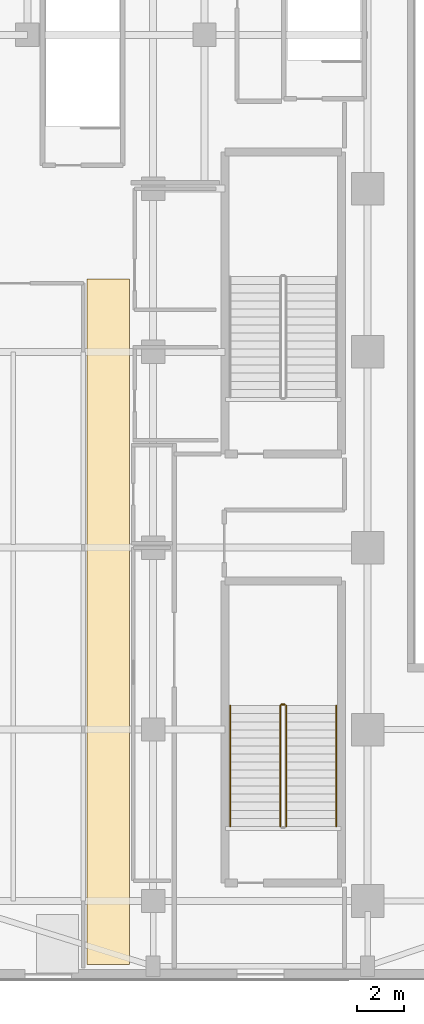
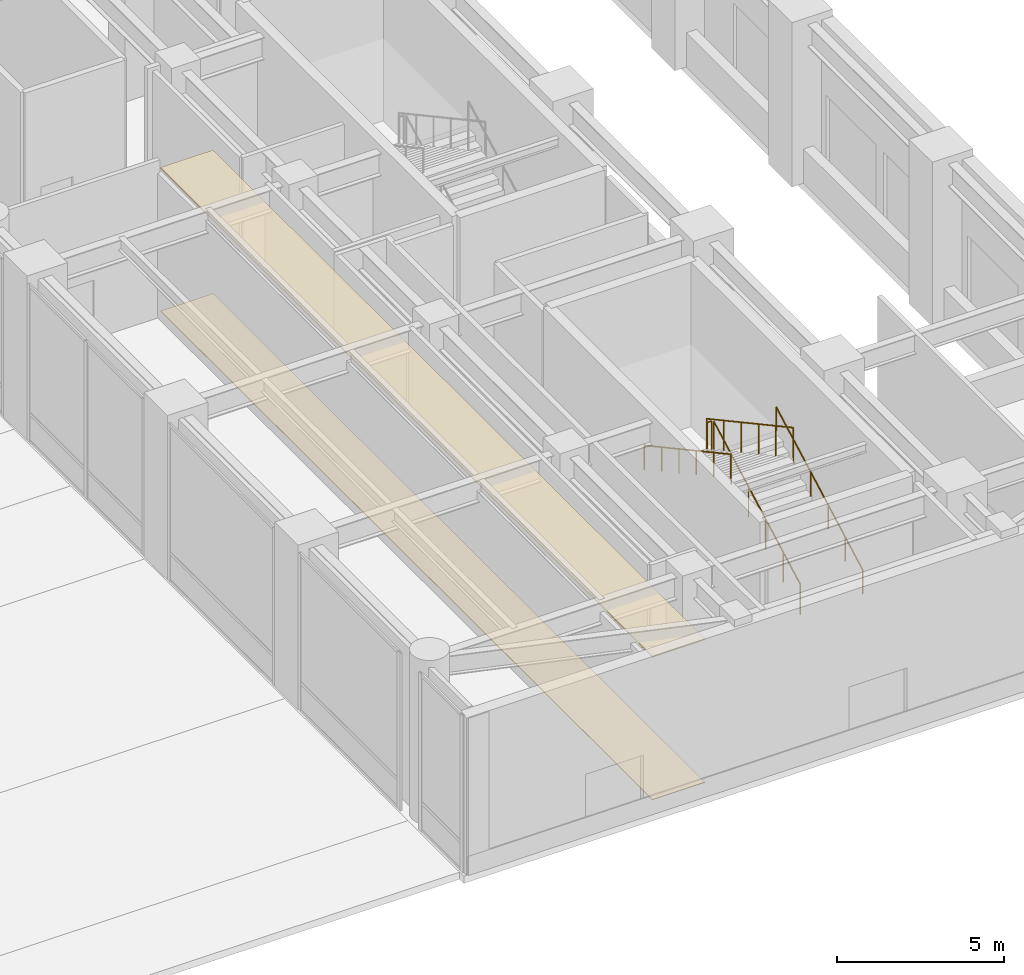
# One storey, part 21 of 28: 5 railings, 2 coverings.
"""IFC4 building model written with IfcOpenShell, lengths in metres."""

import ifcopenshell
import ifcopenshell.guid

model = None  # the IFC model being written
_history = None  # IfcOwnerHistory: only IFC2X3 demands one
_inside = {}  # id of a spatial element -> (the spatial element, [elements in it])
_under = {}  # id of a project, library or spatial element -> (it, [spatial elements below it])
_declared = {}  # id of a project -> (the project, [libraries it declares])
_typed = {}  # id of a type object -> (the type object, [elements of that type])
_made_of = {}  # id of a material, layer set ... -> (it, [elements and type objects made of it])


def new_model(schema):
    """Start an empty IFC model of exactly this schema.

    Asked for "IFC4X3", IfcOpenShell would pick the latest addendum, in which some entities
    have other attributes; the version numbers below select the first issue.
    IFC2X3 requires an IfcOwnerHistory on every rooted entity: one is made here for all.
    """
    global model, _history
    if schema == "IFC4X3":
        model = ifcopenshell.file(schema_version=(4, 3, 0, 0))
    else:
        model = ifcopenshell.file(schema=schema)
    _inside.clear()
    _under.clear()
    _declared.clear()
    _typed.clear()
    _made_of.clear()
    _history = None
    if model.schema == "IFC2X3":
        org = make("IfcOrganization", Name="unknown")
        user = make(
            "IfcPersonAndOrganization",
            ThePerson=make("IfcPerson", FamilyName="unknown"),
            TheOrganization=org,
        )
        app = make(
            "IfcApplication",
            ApplicationDeveloper=org,
            Version="unknown",
            ApplicationFullName="unknown",
            ApplicationIdentifier="unknown",
        )
        _history = make(
            "IfcOwnerHistory",
            OwningUser=user,
            OwningApplication=app,
            ChangeAction="ADDED",
            CreationDate=0,
        )
    return model


def make(cls, **values):
    """One entity of the class cls with the attributes given. An attribute that is None is left unset."""
    return model.create_entity(
        cls, **{name: value for name, value in values.items() if value is not None}
    )


def rooted(cls, **values):
    """An entity with a GlobalId (a new one), such as an element, a storey or a relation."""
    return make(cls, GlobalId=ifcopenshell.guid.new(), OwnerHistory=_history, **values)


def si_unit(unit_type, name, prefix=None):
    """IfcSIUnit, for example si_unit("LENGTHUNIT", "METRE", prefix="MILLI")."""
    return make("IfcSIUnit", UnitType=unit_type, Prefix=prefix, Name=name)


def assignment(units):
    """IfcUnitAssignment: the units of a project."""
    return None if units is None else make("IfcUnitAssignment", Units=units)


def point(xyz):
    """IfcCartesianPoint."""
    return None if xyz is None else make("IfcCartesianPoint", Coordinates=xyz)


def direction(xyz):
    """IfcDirection."""
    return None if xyz is None else make("IfcDirection", DirectionRatios=xyz)


def frame(location, z_axis=None, x_axis=None):
    """IfcAxis2Placement3D, a coordinate frame: its origin and axes. An axis left out is left unset."""
    return make(
        "IfcAxis2Placement3D",
        Location=point(location),
        Axis=direction(z_axis),
        RefDirection=direction(x_axis),
    )


def frame_2d(location, x_axis=None):
    """IfcAxis2Placement2D, a coordinate frame in the plane: its origin and x axis."""
    return make(
        "IfcAxis2Placement2D", Location=point(location), RefDirection=direction(x_axis)
    )


def origin():
    """The frame at (0, 0, 0) with its axes left unset."""
    return frame((0.0, 0.0, 0.0))


def origin_2d():
    """The frame at (0, 0) in the plane with its x axis left unset."""
    return frame_2d((0.0, 0.0))


def place(relative_to, where):
    """IfcLocalPlacement: puts the frame where relative to a parent placement (None: the world)."""
    return make(
        "IfcLocalPlacement", PlacementRelTo=relative_to, RelativePlacement=where
    )


def context(
    kind, dimensions, precision=None, world=None, true_north=None, identifier=None
):
    """IfcGeometricRepresentationContext, for example the 3D "Model" context."""
    return make(
        "IfcGeometricRepresentationContext",
        ContextIdentifier=identifier,
        ContextType=kind,
        CoordinateSpaceDimension=dimensions,
        Precision=precision,
        WorldCoordinateSystem=world,
        TrueNorth=true_north,
    )


def subcontext(parent, identifier, kind, view, scale=None):
    """IfcGeometricRepresentationSubContext, for example "Body" below "Model"."""
    return make(
        "IfcGeometricRepresentationSubContext",
        ContextIdentifier=identifier,
        ContextType=kind,
        ParentContext=parent,
        TargetScale=scale,
        TargetView=view,
    )


def project(units=None, contexts=None):
    """IfcProject with its units and contexts."""
    return rooted(
        "IfcProject",
        Name="project",
        RepresentationContexts=contexts,
        UnitsInContext=assignment(units),
    )


def spatial(cls, under=None, at=None, **own):
    """A site, building, storey or space (cls), placed at a placement, below another one or the project."""
    s = rooted(cls, ObjectPlacement=at, **own)
    if under is not None:
        _under.setdefault(under.id(), (under, []))[1].append(s)
    return s


def polyline(points):
    """IfcPolyline through the points."""
    return make("IfcPolyline", Points=[point(p) for p in points])


def profile(cls, at=None, kind="AREA", **sizes):
    """A parametric profile (cls). Its sizes go by their IFC names, for example OverallWidth=200.0."""
    return make(cls, ProfileType=kind, Position=at, **sizes)


def circle(**sizes):
    """IfcCircleProfileDef."""
    return profile("IfcCircleProfileDef", **sizes)


def outline(outer, holes=None, kind="AREA"):
    """IfcArbitraryClosedProfileDef: a profile drawn as a closed curve; with holes, ...WithVoids."""
    if holes is None:
        return make("IfcArbitraryClosedProfileDef", ProfileType=kind, OuterCurve=outer)
    return make(
        "IfcArbitraryProfileDefWithVoids",
        ProfileType=kind,
        OuterCurve=outer,
        InnerCurves=holes,
    )


def extrude(swept, where, along, depth):
    """IfcExtrudedAreaSolid: the profile swept, set in the frame where, extruded along a direction by depth."""
    return make(
        "IfcExtrudedAreaSolid",
        SweptArea=swept,
        Position=where,
        ExtrudedDirection=direction(along),
        Depth=depth,
    )


def shape(context_of_items, identifier, shape_type, items):
    """IfcShapeRepresentation: the items that make up one representation, for example the "Body"."""
    return make(
        "IfcShapeRepresentation",
        ContextOfItems=context_of_items,
        RepresentationIdentifier=identifier,
        RepresentationType=shape_type,
        Items=items,
    )


def material(Name=None, Category=None):
    """IfcMaterial."""
    return make("IfcMaterial", Name=Name, Category=Category)


def layer(
    of_material, thickness, ventilated=None, Name=None, Category=None, Priority=None
):
    """IfcMaterialLayer: one layer of a wall or slab, of a material (None: an air gap)."""
    return make(
        "IfcMaterialLayer",
        Material=of_material,
        LayerThickness=thickness,
        IsVentilated=ventilated,
        Name=Name,
        Category=Category,
        Priority=Priority,
    )


def layer_set(layers, Name=None):
    """IfcMaterialLayerSet."""
    return make("IfcMaterialLayerSet", MaterialLayers=layers, LayerSetName=Name)


def made_of(thing, what):
    """Note that an element or type object is made of a material, layer set ...; save() writes the relation."""
    if what is not None:
        _made_of.setdefault(what.id(), (what, []))[1].append(thing)
    return thing


def type_object(cls, material=None, **own):
    """A type object (cls), such as IfcWallType, which elements share."""
    return made_of(rooted(cls, **own), material)


def element(
    cls,
    number,
    at=None,
    inside=None,
    cuts=None,
    type_object=None,
    material=None,
    context=None,
    identifier="Body",
    shape_type=None,
    held_by="IfcProductDefinitionShape",
    body=None,
    shapes=None,
    **own,
):
    """One element of the class cls, such as IfcWall. Its Tag is "e" and its number.

    at: its placement. inside: the storey or other place that contains it. cuts: it is an
    opening in that element (IfcRelVoidsElement). A single representation is given by context,
    identifier, shape_type and body (its items); several are given by shapes. held_by: the class
    of the entity that holds the representations. save() writes the other relations.
    """
    e = rooted(cls, Tag="e%d" % number, ObjectPlacement=at, **own)
    if body is not None:
        shapes = [shape(context, identifier, shape_type, body)]
    if shapes is not None:
        e.Representation = make(held_by, Representations=shapes)
    if inside is not None:
        _inside.setdefault(inside.id(), (inside, []))[1].append(e)
    if cuts is not None:
        rooted(
            "IfcRelVoidsElement", RelatingBuildingElement=cuts, RelatedOpeningElement=e
        )
    if type_object is not None:
        _typed.setdefault(type_object.id(), (type_object, []))[1].append(e)
    return made_of(e, material)


def aggregate(whole, parts):
    """IfcRelAggregates: a whole, such as a stair, and the parts it consists of."""
    return rooted("IfcRelAggregates", RelatingObject=whole, RelatedObjects=parts)


def save(model, path):
    """Write the relations noted so far, then the file.

    IfcRelAggregates (storeys below a building ...), IfcRelContainedInSpatialStructure (elements
    in a storey), IfcRelDefinesByType, IfcRelAssociatesMaterial and IfcRelDeclares: one each for
    every whole, place, type object, material and project.
    """
    for whole, parts in _under.values():
        aggregate(whole, parts)
    for where, things in _inside.values():
        rooted(
            "IfcRelContainedInSpatialStructure",
            RelatedElements=things,
            RelatingStructure=where,
        )
    for kind, things in _typed.values():
        rooted("IfcRelDefinesByType", RelatedObjects=things, RelatingType=kind)
    for what, things in _made_of.values():
        rooted("IfcRelAssociatesMaterial", RelatedObjects=things, RelatingMaterial=what)
    for by, libraries in _declared.values():
        rooted("IfcRelDeclares", RelatingContext=by, RelatedDefinitions=libraries)
    model.write(path)


model = new_model("IFC4")

# Units and contexts
model_context = context("Model", 3, precision=1e-05, world=origin(), true_north=direction((0.0, 1.0)))
body_context = subcontext(model_context, "Body", "Model", "MODEL_VIEW")
ifc_project = project(units=[si_unit("LENGTHUNIT", "METRE"), si_unit("AREAUNIT", "SQUARE_METRE"), si_unit("VOLUMEUNIT", "CUBIC_METRE"), si_unit("PLANEANGLEUNIT", "RADIAN"), si_unit("MASSUNIT", "GRAM", prefix="KILO")], contexts=[model_context])

# Site, building, storey
site_placement = place(None, origin())
site = spatial("IfcSite", under=ifc_project, at=site_placement, CompositionType="ELEMENT")
building_placement = place(site_placement, origin())
building = spatial("IfcBuilding", under=site, at=building_placement, Name="Tolvann Quenvar Hotel", CompositionType="ELEMENT")
storey_placement = place(building_placement, origin())
storey = spatial("IfcBuildingStorey", under=building, at=storey_placement, Name="L00", CompositionType="ELEMENT", Elevation=0.0)

# Coverings
ifc_material_1 = material(Name="Micro-perforated acoustic mineral-fibre and timber-batten suspended ceiling", Category="wood")
ifc_layer_1 = layer(ifc_material_1, 0.054931640625)
ifc_layer_set_1 = layer_set([ifc_layer_1], Name="Micro-perforated acoustic mineral-fibre and timber-batten suspended ceiling")
covering_type_1 = type_object("IfcCoveringType", Name="COV_CEIL_TIMBER_55", PredefinedType="CEILING", material=ifc_layer_set_1)
covering_1_placement = place(storey_placement, frame((0.0, 0.0, 5.199951171875)))
element("IfcCovering", 1, at=covering_1_placement, inside=storey, type_object=covering_type_1, Name="Suspended Acoustic Ceiling (East Ground Corridor)", PredefinedType="CEILING", context=body_context, shape_type="SweptSolid", body=[
    extrude(outline(polyline([(44.3701171875, -1.8798828125), (46.179931640625, -1.8798828125), (46.179931640625, 27.530029296875), (44.3701171875, 27.530029296875), (44.3701171875, -1.8798828125)])), origin(), (0.0, 0.0, 1.0), 0.054931640625),
])
ifc_material_2 = material(Name="Honed Australian bluestone, terrazzo and engineered oak flooring", Category="masonry")
ifc_layer_2 = layer(ifc_material_2, 0.02001953125)
ifc_layer_set_2 = layer_set([ifc_layer_2], Name="Honed Australian bluestone, terrazzo and engineered oak flooring")
covering_type_2 = type_object("IfcCoveringType", Name="COV_FLOOR_STONE_20", PredefinedType="FLOORING", material=ifc_layer_set_2)
covering_2_placement = place(storey_placement, origin())
element("IfcCovering", 2, at=covering_2_placement, inside=storey, type_object=covering_type_2, Name="Architectural Floor Finish (East Ground Corridor)", PredefinedType="FLOORING", context=body_context, shape_type="SweptSolid", body=[
    extrude(outline(polyline([(44.3701171875, -1.8798828125), (46.179931640625, -1.8798828125), (46.179931640625, 27.530029296875), (44.3701171875, 27.530029296875), (44.3701171875, -1.8798828125)])), origin(), (0.0, 0.0, 1.0), 0.02001953125),
])

# Railings
ifc_material_3 = material(Name="Brushed 316 stainless steel balustrade and handrail", Category="steel")
railing_type_1 = type_object("IfcRailingType", Name="GUARDRAIL", PredefinedType="GUARDRAIL", material=ifc_material_3)
railing_1_placement = place(storey_placement, frame((52.89990234375, 4.050048828125, 0.1875)))
element("IfcRailing", 3, at=railing_1_placement, inside=storey, type_object=railing_type_1, Name="L00 ST-P3 stair guard 1", PredefinedType="GUARDRAIL", context=body_context, shape_type="SweptSolid", body=[
    extrude(circle(Radius=0.02392578125, at=origin_2d()), frame((0.0, 0.0, 1.09619140625), z_axis=(0.0, 0.878626399866, 0.477509842263), x_axis=(-1.0, 0.0, 0.0)), (0.0, 0.0, 1.0), 5.889892578125),
    extrude(circle(Radius=0.02099609375, at=origin_2d()), origin(), (0.0, 0.0, 1.0), 1.072021484375),
    extrude(circle(Radius=0.02099609375, at=origin_2d()), frame((0.0, 1.034912109375, 0.5625)), (0.0, 0.0, 1.0), 1.072021484375),
    extrude(circle(Radius=0.02099609375, at=origin_2d()), frame((0.0, 2.070068359375, 1.125)), (0.0, 0.0, 1.0), 1.072021484375),
    extrude(circle(Radius=0.02099609375, at=origin_2d()), frame((0.0, 3.10498046875, 1.6875)), (0.0, 0.0, 1.0), 1.072021484375),
    extrude(circle(Radius=0.02099609375, at=origin_2d()), frame((0.0, 4.14013671875, 2.25)), (0.0, 0.0, 1.0), 1.072021484375),
    extrude(circle(Radius=0.02099609375, at=origin_2d()), frame((0.0, 5.175048828125, 2.8125)), (0.0, 0.0, 1.0), 1.072021484375),
])
railing_2_placement = place(storey_placement, frame((52.85009765625, 9.27490234375, 3.0)))
element("IfcRailing", 4, at=railing_2_placement, inside=storey, type_object=railing_type_1, Name="L00 ST-P3 stair guard 2", PredefinedType="GUARDRAIL", context=body_context, shape_type="SweptSolid", body=[
    extrude(circle(Radius=0.02392578125, at=origin_2d()), frame((0.0, 0.0, 1.09619140625), z_axis=(-1.0, 0.0, 0.0), x_axis=(0.0, -1.0, 0.0)), (0.0, 0.0, 1.0), 0.150146484375),
    extrude(circle(Radius=0.02099609375, at=origin_2d()), origin(), (0.0, 0.0, 1.0), 1.072021484375),
    extrude(circle(Radius=0.02099609375, at=origin_2d()), frame((-0.150146484375, 0.0, 0.0)), (0.0, 0.0, 1.0), 1.072021484375),
])
railing_3_placement = place(storey_placement, frame((52.64990234375, 9.22509765625, 3.1875)))
element("IfcRailing", 5, at=railing_3_placement, inside=storey, type_object=railing_type_1, Name="L00 ST-P3 stair guard 3", PredefinedType="GUARDRAIL", context=body_context, shape_type="SweptSolid", body=[
    extrude(circle(Radius=0.02392578125, at=origin_2d()), frame((0.0, 0.0, 1.09619140625), z_axis=(0.0, -0.878626399866, 0.477509842263), x_axis=(1.0, 0.0, 0.0)), (0.0, 0.0, 1.0), 5.889892578125),
    extrude(circle(Radius=0.02099609375, at=origin_2d()), origin(), (0.0, 0.0, 1.0), 1.072021484375),
    extrude(circle(Radius=0.02099609375, at=origin_2d()), frame((0.0, -1.034912109375, 0.5625)), (0.0, 0.0, 1.0), 1.072021484375),
    extrude(circle(Radius=0.02099609375, at=origin_2d()), frame((0.0, -2.070068359375, 1.125)), (0.0, 0.0, 1.0), 1.072021484375),
    extrude(circle(Radius=0.02099609375, at=origin_2d()), frame((0.0, -3.10498046875, 1.6875)), (0.0, 0.0, 1.0), 1.072021484375),
    extrude(circle(Radius=0.02099609375, at=origin_2d()), frame((0.0, -4.14013671875, 2.25)), (0.0, 0.0, 1.0), 1.072021484375),
    extrude(circle(Radius=0.02099609375, at=origin_2d()), frame((0.0, -5.175048828125, 2.8125)), (0.0, 0.0, 1.0), 1.072021484375),
])
railing_type_2 = type_object("IfcRailingType", Name="HANDRAIL", PredefinedType="HANDRAIL", material=ifc_material_3)
railing_4_placement = place(storey_placement, frame((55.050048828125, 4.050048828125, 0.1875)))
element("IfcRailing", 6, at=railing_4_placement, inside=storey, type_object=railing_type_2, Name="L00 ST-P3 stair handrail 1", PredefinedType="HANDRAIL", context=body_context, shape_type="SweptSolid", body=[
    extrude(circle(Radius=0.02392578125, at=origin_2d()), frame((0.0, 0.0, 0.8759765625), z_axis=(0.0, 0.878626399866, 0.477509842263), x_axis=(-1.0, 0.0, 0.0)), (0.0, 0.0, 1.0), 5.889892578125),
    extrude(circle(Radius=0.02099609375, at=origin_2d()), origin(), (0.0, 0.0, 1.0), 0.851806640625),
    extrude(circle(Radius=0.02099609375, at=origin_2d()), frame((0.0, 1.034912109375, 0.5625)), (0.0, 0.0, 1.0), 0.851806640625),
    extrude(circle(Radius=0.02099609375, at=origin_2d()), frame((0.0, 2.070068359375, 1.125)), (0.0, 0.0, 1.0), 0.851806640625),
    extrude(circle(Radius=0.02099609375, at=origin_2d()), frame((0.0, 3.10498046875, 1.6875)), (0.0, 0.0, 1.0), 0.851806640625),
    extrude(circle(Radius=0.02099609375, at=origin_2d()), frame((0.0, 4.14013671875, 2.25)), (0.0, 0.0, 1.0), 0.851806640625),
    extrude(circle(Radius=0.02099609375, at=origin_2d()), frame((0.0, 5.175048828125, 2.8125)), (0.0, 0.0, 1.0), 0.851806640625),
])
railing_5_placement = place(storey_placement, frame((50.5, 9.22509765625, 3.1875)))
element("IfcRailing", 7, at=railing_5_placement, inside=storey, type_object=railing_type_2, Name="L00 ST-P3 stair handrail 2", PredefinedType="HANDRAIL", context=body_context, shape_type="SweptSolid", body=[
    extrude(circle(Radius=0.02392578125, at=origin_2d()), frame((0.0, 0.0, 0.8759765625), z_axis=(0.0, -0.878626399866, 0.477509842263), x_axis=(1.0, 0.0, 0.0)), (0.0, 0.0, 1.0), 5.889892578125),
    extrude(circle(Radius=0.02099609375, at=origin_2d()), origin(), (0.0, 0.0, 1.0), 0.851806640625),
    extrude(circle(Radius=0.02099609375, at=origin_2d()), frame((0.0, -1.034912109375, 0.5625)), (0.0, 0.0, 1.0), 0.851806640625),
    extrude(circle(Radius=0.02099609375, at=origin_2d()), frame((0.0, -2.070068359375, 1.125)), (0.0, 0.0, 1.0), 0.851806640625),
    extrude(circle(Radius=0.02099609375, at=origin_2d()), frame((0.0, -3.10498046875, 1.6875)), (0.0, 0.0, 1.0), 0.851806640625),
    extrude(circle(Radius=0.02099609375, at=origin_2d()), frame((0.0, -4.14013671875, 2.25)), (0.0, 0.0, 1.0), 0.851806640625),
    extrude(circle(Radius=0.02099609375, at=origin_2d()), frame((0.0, -5.175048828125, 2.8125)), (0.0, 0.0, 1.0), 0.851806640625),
])

save(model, "model.ifc")
